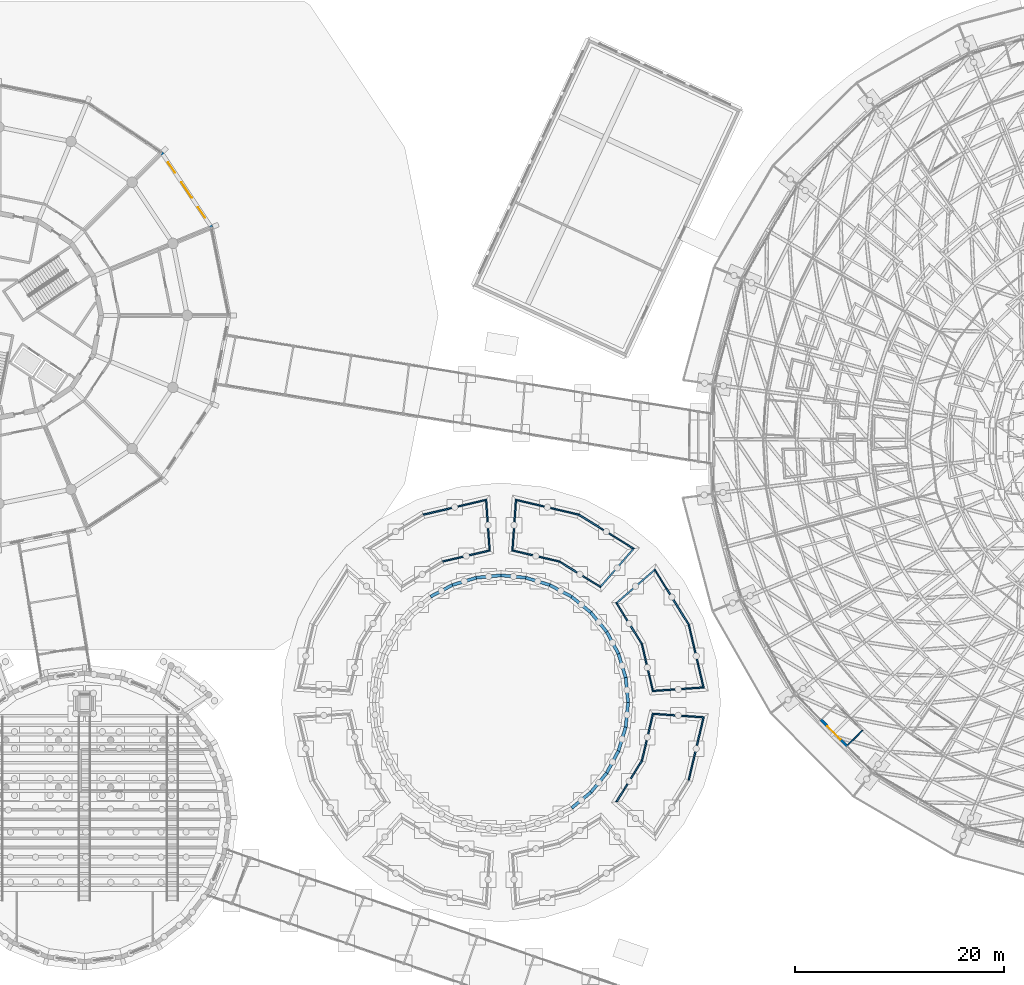
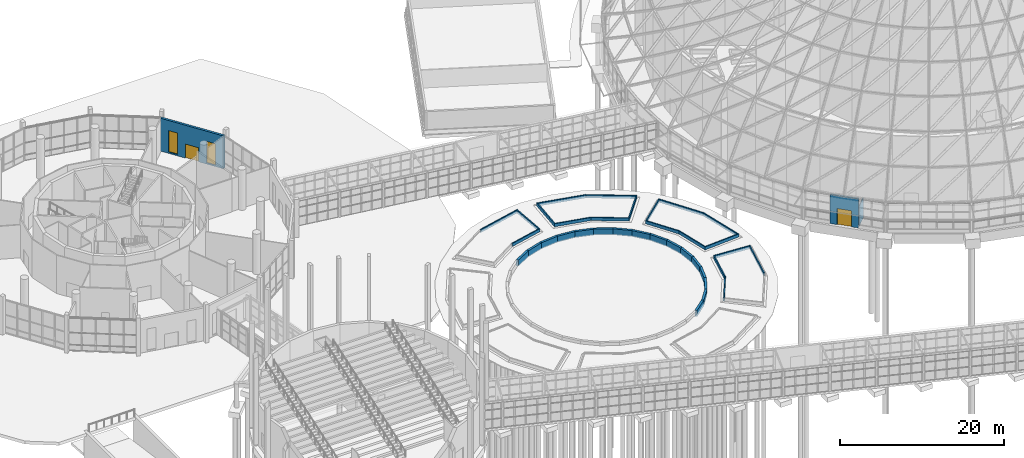
# One storey, part 166 of 226: 38 walls, 2 doors, 2 windows, 4 openings.
"""IFC4 building model written with IfcOpenShell, lengths in metres."""

from ifc_helpers import new_model, si_unit, direction, frame, frame_2d, origin, place, context, subcontext, project, spatial, polyline, rectangle, outline, extrude, material, layer, layer_set, type_object, element, fill, save


model = new_model("IFC4")

# Units and contexts
model_context = context("Model", 3, precision=1e-05, world=origin(), true_north=direction((0.0, 1.0)))
body_context = subcontext(model_context, "Body", "Model", "MODEL_VIEW")
ifc_project = project(units=[si_unit("LENGTHUNIT", "METRE"), si_unit("AREAUNIT", "SQUARE_METRE"), si_unit("VOLUMEUNIT", "CUBIC_METRE"), si_unit("PLANEANGLEUNIT", "RADIAN"), si_unit("MASSUNIT", "GRAM", prefix="KILO")], contexts=[model_context])

# Site, building, storey
site_placement = place(None, origin())
site = spatial("IfcSite", under=ifc_project, at=site_placement, CompositionType="ELEMENT")
building_placement = place(site_placement, origin())
building = spatial("IfcBuilding", under=site, at=building_placement, Name="Ceibo Conservatory and Research Tower", CompositionType="ELEMENT")
storey_placement = place(building_placement, origin())
storey = spatial("IfcBuildingStorey", under=building, at=storey_placement, Name="L00", CompositionType="ELEMENT", Elevation=0.0)

# Walls
ifc_material_1 = material(Name="Aluminium and glass", Category="aluminium")
ifc_layer_1 = layer(ifc_material_1, 0.10009765625)
ifc_layer_set_1 = layer_set([ifc_layer_1], Name="Aluminium and glass")
wall_type_1 = type_object("IfcWallType", Name="Airlock screen wall 100", PredefinedType="PARTITIONING", material=ifc_layer_set_1)
wall_1_placement = place(storey_placement, frame((130.576904296875, 80.33349609375, 0.0), z_axis=(0.0, 0.0, 1.0), x_axis=(-0.710212756129, -0.703987102887, 0.0)))
element("IfcWall", 1, at=wall_1_placement, inside=storey, type_object=wall_type_1, Name="Vestibule wall A-VW15", PredefinedType="PARTITIONING", context=body_context, shape_type="SweptSolid", body=[
    extrude(outline(polyline([(0.050048828125, -0.050048828125), (2.0, -0.050048828125), (2.0, 0.050048828125), (-0.050048828125, 0.050048828125), (0.050048828125, -0.050048828125)])), origin(), (0.0, 0.0, 1.0), 3.0),
])
ifc_material_2 = material(Name="Concrete C30/37", Category="concrete")
ifc_layer_2 = layer(ifc_material_2, 0.300048828125)
ifc_layer_set_2 = layer_set([ifc_layer_2], Name="Concrete C30/37")
wall_type_2 = type_object("IfcWallType", Name="Basin kerb wall 300", PredefinedType="PARAPET", material=ifc_layer_set_2)
wall_2_placement = place(storey_placement, frame((108.149169921875, 83.0, -0.449951171875), z_axis=(0.0, 0.0, 1.0), x_axis=(-0.098001449933, 0.995186271916, 0.0)))
element("IfcWall", 2, at=wall_2_placement, inside=storey, type_object=wall_type_2, Name="Basin kerb 01", PredefinedType="PARAPET", context=body_context, shape_type="SweptSolid", body=[
    extrude(outline(polyline([(-0.014892578125, -0.14990234375), (2.396484375, -0.14990234375), (2.36669921875, 0.14990234375), (0.014892578125, 0.14990234375), (-0.014892578125, -0.14990234375)])), origin(), (0.0, 0.0, 1.0), 0.89990234375),
])
wall_3_placement = place(storey_placement, frame((107.915771484375, 85.3701171875, -0.449951171875), z_axis=(0.0, 0.0, 1.0), x_axis=(-0.290280487381, 0.956941606706, 0.0)))
element("IfcWall", 3, at=wall_3_placement, inside=storey, type_object=wall_type_2, Name="Basin kerb 02", PredefinedType="PARAPET", context=body_context, shape_type="SweptSolid", body=[
    extrude(outline(polyline([(-0.014892578125, -0.14990234375), (2.396728515625, -0.14990234375), (2.366943359375, 0.14990234375), (0.014892578125, 0.14990234375), (-0.014892578125, -0.14990234375)])), origin(), (0.0, 0.0, 1.0), 0.89990234375),
])
wall_4_placement = place(storey_placement, frame((107.224365234375, 87.6494140625, -0.449951171875), z_axis=(0.0, 0.0, 1.0), x_axis=(-0.471364898208, 0.881938281705, 0.0)))
element("IfcWall", 4, at=wall_4_placement, inside=storey, type_object=wall_type_2, Name="Basin kerb 03", PredefinedType="PARAPET", context=body_context, shape_type="SweptSolid", body=[
    extrude(outline(polyline([(-0.014892578125, -0.14990234375), (2.396484375, -0.14990234375), (2.36669921875, 0.14990234375), (0.014892578125, 0.14990234375), (-0.014892578125, -0.14990234375)])), origin(), (0.0, 0.0, 1.0), 0.89990234375),
])
for number, where, z_axis, x_axis, name in (
    (5, (106.101806640625, 89.749755859375, -0.449951171875), (0.0, 0.0, 1.0), (-0.634409285382, 0.772997321225, 0.0), "Basin kerb 04"),
    (6, (104.5908203125, 91.5908203125, -0.449951171875), (0.0, 0.0, 1.0), (-0.772997321225, 0.634409285382, 0.0), "Basin kerb 05"),
):
    element("IfcWall", number, at=place(storey_placement, frame(where, z_axis=z_axis, x_axis=x_axis)), inside=storey, type_object=wall_type_2, Name=name, PredefinedType="PARAPET", context=body_context, shape_type="SweptSolid", body=[
        extrude(outline(polyline([(-0.014892578125, -0.14990234375), (2.396728515625, -0.14990234375), (2.366943359375, 0.14990234375), (0.014892578125, 0.14990234375), (-0.014892578125, -0.14990234375)])), origin(), (0.0, 0.0, 1.0), 0.89990234375),
    ])
wall_5_placement = place(storey_placement, frame((102.749755859375, 93.101806640625, -0.449951171875), z_axis=(0.0, 0.0, 1.0), x_axis=(-0.881938281705, 0.471364898208, 0.0)))
element("IfcWall", 7, at=wall_5_placement, inside=storey, type_object=wall_type_2, Name="Basin kerb 06", PredefinedType="PARAPET", context=body_context, shape_type="SweptSolid", body=[
    extrude(outline(polyline([(-0.014892578125, -0.14990234375), (2.396484375, -0.14990234375), (2.36669921875, 0.14990234375), (0.014892578125, 0.14990234375), (-0.014892578125, -0.14990234375)])), origin(), (0.0, 0.0, 1.0), 0.89990234375),
])
wall_6_placement = place(storey_placement, frame((100.6494140625, 94.224365234375, -0.449951171875), z_axis=(0.0, 0.0, 1.0), x_axis=(-0.956941606706, 0.290280487381, 0.0)))
element("IfcWall", 8, at=wall_6_placement, inside=storey, type_object=wall_type_2, Name="Basin kerb 07", PredefinedType="PARAPET", context=body_context, shape_type="SweptSolid", body=[
    extrude(outline(polyline([(-0.014892578125, -0.14990234375), (2.396728515625, -0.14990234375), (2.366943359375, 0.14990234375), (0.014892578125, 0.14990234375), (-0.014892578125, -0.14990234375)])), origin(), (0.0, 0.0, 1.0), 0.89990234375),
])
for number, where, z_axis, x_axis, name in (
    (9, (98.3701171875, 94.915771484375, -0.449951171875), (0.0, 0.0, 1.0), (-0.995186271916, 0.098001449933, 0.0), "Basin kerb 08"),
    (10, (96.0, 95.149169921875, -0.449951171875), (0.0, 0.0, 1.0), (-0.995186271916, -0.098001449933, 0.0), "Basin kerb 09"),
):
    element("IfcWall", number, at=place(storey_placement, frame(where, z_axis=z_axis, x_axis=x_axis)), inside=storey, type_object=wall_type_2, Name=name, PredefinedType="PARAPET", context=body_context, shape_type="SweptSolid", body=[
        extrude(outline(polyline([(-0.014892578125, -0.14990234375), (2.396484375, -0.14990234375), (2.36669921875, 0.14990234375), (0.014892578125, 0.14990234375), (-0.014892578125, -0.14990234375)])), origin(), (0.0, 0.0, 1.0), 0.89990234375),
    ])
wall_7_placement = place(storey_placement, frame((93.6298828125, 94.915771484375, -0.449951171875), z_axis=(0.0, 0.0, 1.0), x_axis=(-0.956941606706, -0.290280487381, 0.0)))
element("IfcWall", 11, at=wall_7_placement, inside=storey, type_object=wall_type_2, Name="Basin kerb 10", PredefinedType="PARAPET", context=body_context, shape_type="SweptSolid", body=[
    extrude(outline(polyline([(-0.014892578125, -0.14990234375), (2.396728515625, -0.14990234375), (2.366943359375, 0.14990234375), (0.014892578125, 0.14990234375), (-0.014892578125, -0.14990234375)])), origin(), (0.0, 0.0, 1.0), 0.89990234375),
])
wall_8_placement = place(storey_placement, frame((91.3505859375, 94.224365234375, -0.449951171875), z_axis=(0.0, 0.0, 1.0), x_axis=(-0.881938281705, -0.471364898208, 0.0)))
element("IfcWall", 12, at=wall_8_placement, inside=storey, type_object=wall_type_2, Name="Basin kerb 11", PredefinedType="PARAPET", context=body_context, shape_type="SweptSolid", body=[
    extrude(outline(polyline([(-0.014892578125, -0.14990234375), (2.396484375, -0.14990234375), (2.36669921875, 0.14990234375), (0.014892578125, 0.14990234375), (-0.014892578125, -0.14990234375)])), origin(), (0.0, 0.0, 1.0), 0.89990234375),
])
for number, where, z_axis, x_axis, name in (
    (13, (102.749755859375, 72.898193359375, -0.449951171875), (0.0, 0.0, 1.0), (0.772997321225, 0.634409285382, 0.0), "Basin kerb 28"),
    (14, (104.5908203125, 74.4091796875, -0.449951171875), (0.0, 0.0, 1.0), (0.634409285382, 0.772997321225, 0.0), "Basin kerb 29"),
):
    element("IfcWall", number, at=place(storey_placement, frame(where, z_axis=z_axis, x_axis=x_axis)), inside=storey, type_object=wall_type_2, Name=name, PredefinedType="PARAPET", context=body_context, shape_type="SweptSolid", body=[
        extrude(outline(polyline([(-0.014892578125, -0.14990234375), (2.396728515625, -0.14990234375), (2.366943359375, 0.14990234375), (0.014892578125, 0.14990234375), (-0.014892578125, -0.14990234375)])), origin(), (0.0, 0.0, 1.0), 0.89990234375),
    ])
wall_9_placement = place(storey_placement, frame((106.101806640625, 76.250244140625, -0.449951171875), z_axis=(0.0, 0.0, 1.0), x_axis=(0.471364898208, 0.881938281705, 0.0)))
element("IfcWall", 15, at=wall_9_placement, inside=storey, type_object=wall_type_2, Name="Basin kerb 30", PredefinedType="PARAPET", context=body_context, shape_type="SweptSolid", body=[
    extrude(outline(polyline([(-0.014892578125, -0.14990234375), (2.396484375, -0.14990234375), (2.36669921875, 0.14990234375), (0.014892578125, 0.14990234375), (-0.014892578125, -0.14990234375)])), origin(), (0.0, 0.0, 1.0), 0.89990234375),
])
wall_10_placement = place(storey_placement, frame((107.224365234375, 78.3505859375, -0.449951171875), z_axis=(0.0, 0.0, 1.0), x_axis=(0.290280487381, 0.956941606706, 0.0)))
element("IfcWall", 16, at=wall_10_placement, inside=storey, type_object=wall_type_2, Name="Basin kerb 31", PredefinedType="PARAPET", context=body_context, shape_type="SweptSolid", body=[
    extrude(outline(polyline([(-0.014892578125, -0.14990234375), (2.396728515625, -0.14990234375), (2.366943359375, 0.14990234375), (0.014892578125, 0.14990234375), (-0.014892578125, -0.14990234375)])), origin(), (0.0, 0.0, 1.0), 0.89990234375),
])
wall_11_placement = place(storey_placement, frame((107.915771484375, 80.6298828125, -0.449951171875), z_axis=(0.0, 0.0, 1.0), x_axis=(0.098001449933, 0.995186271916, 0.0)))
element("IfcWall", 17, at=wall_11_placement, inside=storey, type_object=wall_type_2, Name="Basin kerb 32", PredefinedType="PARAPET", context=body_context, shape_type="SweptSolid", body=[
    extrude(outline(polyline([(-0.014892578125, -0.14990234375), (2.396484375, -0.14990234375), (2.36669921875, 0.14990234375), (0.014892578125, 0.14990234375), (-0.014892578125, -0.14990234375)])), origin(), (0.0, 0.0, 1.0), 0.89990234375),
])
ifc_layer_3 = layer(ifc_material_2, 0.14990234375)
ifc_layer_set_3 = layer_set([ifc_layer_3], Name="Concrete C30/37")
wall_type_3 = type_object("IfcWallType", Name="Bed kerb wall 150", PredefinedType="PARAPET", material=ifc_layer_set_3)
wall_12_placement = place(storey_placement, frame((110.52294921875, 84.0908203125, 0.0), z_axis=(0.0, 0.0, 1.0), x_axis=(0.997564926724, 0.069743938592, 0.0)))
element("IfcWall", 18, at=wall_12_placement, inside=storey, type_object=wall_type_3, Name="Bed PB1 kerb 01", PredefinedType="PARAPET", context=body_context, shape_type="SweptSolid", body=[
    extrude(outline(polyline([(-0.063720703125, -0.074951171875), (4.936279296875, -0.074951171875), (4.760009765625, 0.074951171875), (0.063720703125, 0.074951171875), (-0.063720703125, -0.074951171875)])), origin(), (0.0, 0.0, 1.0), 0.449951171875),
])
wall_13_placement = place(storey_placement, frame((115.359375, 84.428955078125, 0.0), z_axis=(0.0, 0.0, 1.0), x_axis=(-0.229195955664, 0.973380302815, 0.0)))
element("IfcWall", 19, at=wall_13_placement, inside=storey, type_object=wall_type_3, Name="Bed PB1 kerb 02", PredefinedType="PARAPET", context=body_context, shape_type="SweptSolid", body=[
    extrude(outline(polyline([(-0.088134765625, -0.074951171875), (6.180908203125, -0.074951171875), (6.156494140625, 0.074951171875), (0.088134765625, 0.074951171875), (-0.088134765625, -0.074951171875)])), origin(), (0.0, 0.0, 1.0), 0.449951171875),
])
wall_14_placement = place(storey_placement, frame((113.945556640625, 90.433349609375, 0.0), z_axis=(0.0, 0.0, 1.0), x_axis=(-0.526233343886, 0.850340207084, 0.0)))
element("IfcWall", 20, at=wall_14_placement, inside=storey, type_object=wall_type_3, Name="Bed PB1 kerb 03", PredefinedType="PARAPET", context=body_context, shape_type="SweptSolid", body=[
    extrude(outline(polyline([(-0.01220703125, -0.074951171875), (6.256591796875, -0.074951171875), (6.080322265625, 0.074951171875), (0.01220703125, 0.074951171875), (-0.01220703125, -0.074951171875)])), origin(), (0.0, 0.0, 1.0), 0.449951171875),
])
wall_15_placement = place(storey_placement, frame((110.699462890625, 95.6787109375, 0.0), z_axis=(0.0, 0.0, 1.0), x_axis=(-0.754709588692, -0.656059019248, 0.0)))
element("IfcWall", 21, at=wall_15_placement, inside=storey, type_object=wall_type_3, Name="Bed PB1 kerb 04", PredefinedType="PARAPET", context=body_context, shape_type="SweptSolid", body=[
    extrude(outline(polyline([(-0.088134765625, -0.074951171875), (4.911865234375, -0.074951171875), (4.784423828125, 0.074951171875), (0.088134765625, 0.074951171875), (-0.088134765625, -0.074951171875)])), origin(), (0.0, 0.0, 1.0), 0.449951171875),
])
wall_16_placement = place(storey_placement, frame((107.04052734375, 92.498046875, 0.0), z_axis=(0.0, 0.0, 1.0), x_axis=(0.526237929695, -0.850337369137, 0.0)))
element("IfcWall", 22, at=wall_16_placement, inside=storey, type_object=wall_type_3, Name="Bed PB1 kerb 05", PredefinedType="PARAPET", context=body_context, shape_type="SweptSolid", body=[
    extrude(outline(polyline([(-0.063720703125, -0.074951171875), (4.597900390625, -0.074951171875), (4.622314453125, 0.074951171875), (0.063720703125, 0.074951171875), (-0.063720703125, -0.074951171875)])), origin(), (0.0, 0.0, 1.0), 0.449951171875),
])
wall_17_placement = place(storey_placement, frame((109.466552734375, 88.577880859375, 0.0), z_axis=(0.0, 0.0, 1.0), x_axis=(0.229166266762, -0.973387293002, 0.0)))
element("IfcWall", 23, at=wall_17_placement, inside=storey, type_object=wall_type_3, Name="Bed PB1 kerb 06", PredefinedType="PARAPET", context=body_context, shape_type="SweptSolid", body=[
    extrude(outline(polyline([(0.01220703125, -0.074951171875), (4.67333984375, -0.074951171875), (4.5458984375, 0.074951171875), (-0.01220703125, 0.074951171875), (0.01220703125, -0.074951171875)])), origin(), (0.0, 0.0, 1.0), 0.449951171875),
])
wall_18_placement = place(storey_placement, frame((105.498046875, 94.04052734375, 0.0), z_axis=(0.0, 0.0, 1.0), x_axis=(0.656059019248, 0.754709588692, 0.0)))
element("IfcWall", 24, at=wall_18_placement, inside=storey, type_object=wall_type_3, Name="Bed PB2 kerb 01", PredefinedType="PARAPET", context=body_context, shape_type="SweptSolid", body=[
    extrude(outline(polyline([(-0.063720703125, -0.074951171875), (4.936279296875, -0.074951171875), (4.760009765625, 0.074951171875), (0.063720703125, 0.074951171875), (-0.063720703125, -0.074951171875)])), origin(), (0.0, 0.0, 1.0), 0.449951171875),
])
wall_19_placement = place(storey_placement, frame((108.6787109375, 97.699462890625, 0.0), z_axis=(0.0, 0.0, 1.0), x_axis=(-0.850340207084, 0.526233343886, 0.0)))
element("IfcWall", 25, at=wall_19_placement, inside=storey, type_object=wall_type_3, Name="Bed PB2 kerb 02", PredefinedType="PARAPET", context=body_context, shape_type="SweptSolid", body=[
    extrude(outline(polyline([(-0.088134765625, -0.074951171875), (6.1806640625, -0.074951171875), (6.15625, 0.074951171875), (0.088134765625, 0.074951171875), (-0.088134765625, -0.074951171875)])), origin(), (0.0, 0.0, 1.0), 0.449951171875),
])
wall_20_placement = place(storey_placement, frame((103.433349609375, 100.945556640625, 0.0), z_axis=(0.0, 0.0, 1.0), x_axis=(-0.973380302815, 0.229195955664, 0.0)))
element("IfcWall", 26, at=wall_20_placement, inside=storey, type_object=wall_type_3, Name="Bed PB2 kerb 03", PredefinedType="PARAPET", context=body_context, shape_type="SweptSolid", body=[
    extrude(outline(polyline([(-0.01220703125, -0.074951171875), (6.2568359375, -0.074951171875), (6.08056640625, 0.074951171875), (0.01220703125, 0.074951171875), (-0.01220703125, -0.074951171875)])), origin(), (0.0, 0.0, 1.0), 0.449951171875),
])
wall_21_placement = place(storey_placement, frame((97.428955078125, 102.359375, 0.0), z_axis=(0.0, 0.0, 1.0), x_axis=(-0.069743938592, -0.997564926724, 0.0)))
element("IfcWall", 27, at=wall_21_placement, inside=storey, type_object=wall_type_3, Name="Bed PB2 kerb 04", PredefinedType="PARAPET", context=body_context, shape_type="SweptSolid", body=[
    extrude(outline(polyline([(-0.088134765625, -0.074951171875), (4.911865234375, -0.074951171875), (4.784423828125, 0.074951171875), (0.088134765625, 0.074951171875), (-0.088134765625, -0.074951171875)])), origin(), (0.0, 0.0, 1.0), 0.449951171875),
])
wall_22_placement = place(storey_placement, frame((97.0908203125, 97.52294921875, 0.0), z_axis=(0.0, 0.0, 1.0), x_axis=(0.973387293002, -0.229166266762, 0.0)))
element("IfcWall", 28, at=wall_22_placement, inside=storey, type_object=wall_type_3, Name="Bed PB2 kerb 05", PredefinedType="PARAPET", context=body_context, shape_type="SweptSolid", body=[
    extrude(outline(polyline([(-0.063720703125, -0.074951171875), (4.597412109375, -0.074951171875), (4.621826171875, 0.074951171875), (0.063720703125, 0.074951171875), (-0.063720703125, -0.074951171875)])), origin(), (0.0, 0.0, 1.0), 0.449951171875),
])
wall_23_placement = place(storey_placement, frame((101.577880859375, 96.466552734375, 0.0), z_axis=(0.0, 0.0, 1.0), x_axis=(0.850337369137, -0.526237929695, 0.0)))
element("IfcWall", 29, at=wall_23_placement, inside=storey, type_object=wall_type_3, Name="Bed PB2 kerb 06", PredefinedType="PARAPET", context=body_context, shape_type="SweptSolid", body=[
    extrude(outline(polyline([(0.01220703125, -0.074951171875), (4.673828125, -0.074951171875), (4.54638671875, 0.074951171875), (-0.01220703125, 0.074951171875), (0.01220703125, -0.074951171875)])), origin(), (0.0, 0.0, 1.0), 0.449951171875),
])
wall_24_placement = place(storey_placement, frame((94.9091796875, 97.52294921875, 0.0), z_axis=(0.0, 0.0, 1.0), x_axis=(-0.069743938592, 0.997564926724, 0.0)))
element("IfcWall", 30, at=wall_24_placement, inside=storey, type_object=wall_type_3, Name="Bed PB3 kerb 01", PredefinedType="PARAPET", context=body_context, shape_type="SweptSolid", body=[
    extrude(outline(polyline([(-0.063720703125, -0.074951171875), (4.936279296875, -0.074951171875), (4.760009765625, 0.074951171875), (0.063720703125, 0.074951171875), (-0.063720703125, -0.074951171875)])), origin(), (0.0, 0.0, 1.0), 0.449951171875),
])
wall_25_placement = place(storey_placement, frame((94.571044921875, 102.359375, 0.0), z_axis=(0.0, 0.0, 1.0), x_axis=(-0.973380302815, -0.229195955664, 0.0)))
element("IfcWall", 31, at=wall_25_placement, inside=storey, type_object=wall_type_3, Name="Bed PB3 kerb 02", PredefinedType="PARAPET", context=body_context, shape_type="SweptSolid", body=[
    extrude(outline(polyline([(-0.088134765625, -0.074951171875), (6.180908203125, -0.074951171875), (6.156494140625, 0.074951171875), (0.088134765625, 0.074951171875), (-0.088134765625, -0.074951171875)])), origin(), (0.0, 0.0, 1.0), 0.449951171875),
])
wall_26_placement = place(storey_placement, frame((90.422119140625, 96.466552734375, 0.0), z_axis=(0.0, 0.0, 1.0), x_axis=(0.973387293002, 0.229166266762, 0.0)))
element("IfcWall", 32, at=wall_26_placement, inside=storey, type_object=wall_type_3, Name="Bed PB3 kerb 06", PredefinedType="PARAPET", context=body_context, shape_type="SweptSolid", body=[
    extrude(outline(polyline([(0.01220703125, -0.074951171875), (4.67333984375, -0.074951171875), (4.5458984375, 0.074951171875), (-0.01220703125, 0.074951171875), (0.01220703125, -0.074951171875)])), origin(), (0.0, 0.0, 1.0), 0.449951171875),
])
wall_27_placement = place(storey_placement, frame((113.945556640625, 75.566650390625, 0.0), z_axis=(0.0, 0.0, 1.0), x_axis=(0.229195955664, 0.973380302815, 0.0)))
element("IfcWall", 33, at=wall_27_placement, inside=storey, type_object=wall_type_3, Name="Bed PB8 kerb 03", PredefinedType="PARAPET", context=body_context, shape_type="SweptSolid", body=[
    extrude(outline(polyline([(-0.01220703125, -0.074951171875), (6.2568359375, -0.074951171875), (6.08056640625, 0.074951171875), (0.01220703125, 0.074951171875), (-0.01220703125, -0.074951171875)])), origin(), (0.0, 0.0, 1.0), 0.449951171875),
])
wall_28_placement = place(storey_placement, frame((115.359375, 81.571044921875, 0.0), z_axis=(0.0, 0.0, 1.0), x_axis=(-0.997564926724, 0.069743938592, 0.0)))
element("IfcWall", 34, at=wall_28_placement, inside=storey, type_object=wall_type_3, Name="Bed PB8 kerb 04", PredefinedType="PARAPET", context=body_context, shape_type="SweptSolid", body=[
    extrude(outline(polyline([(-0.088134765625, -0.074951171875), (4.911865234375, -0.074951171875), (4.784423828125, 0.074951171875), (0.088134765625, 0.074951171875), (-0.088134765625, -0.074951171875)])), origin(), (0.0, 0.0, 1.0), 0.449951171875),
])
wall_29_placement = place(storey_placement, frame((110.52294921875, 81.9091796875, 0.0), z_axis=(0.0, 0.0, 1.0), x_axis=(-0.229166266762, -0.973387293002, 0.0)))
element("IfcWall", 35, at=wall_29_placement, inside=storey, type_object=wall_type_3, Name="Bed PB8 kerb 05", PredefinedType="PARAPET", context=body_context, shape_type="SweptSolid", body=[
    extrude(outline(polyline([(-0.063720703125, -0.074951171875), (4.597412109375, -0.074951171875), (4.621826171875, 0.074951171875), (0.063720703125, 0.074951171875), (-0.063720703125, -0.074951171875)])), origin(), (0.0, 0.0, 1.0), 0.449951171875),
])
wall_30_placement = place(storey_placement, frame((109.466552734375, 77.422119140625, 0.0), z_axis=(0.0, 0.0, 1.0), x_axis=(-0.526237929695, -0.850337369137, 0.0)))
element("IfcWall", 36, at=wall_30_placement, inside=storey, type_object=wall_type_3, Name="Bed PB8 kerb 06", PredefinedType="PARAPET", context=body_context, shape_type="SweptSolid", body=[
    extrude(outline(polyline([(0.01220703125, -0.074951171875), (4.673828125, -0.074951171875), (4.54638671875, 0.074951171875), (-0.01220703125, 0.074951171875), (0.01220703125, -0.074951171875)])), origin(), (0.0, 0.0, 1.0), 0.449951171875),
])

# Wall, opening, door
ifc_material_3 = material(Name="Concrete C35/45", Category="concrete")
ifc_layer_4 = layer(ifc_material_3, 0.25)
ifc_layer_set_4 = layer_set([ifc_layer_4], Name="Concrete C35/45")
wall_type_4 = type_object("IfcWallType", Name="Drum door stub wall 250", PredefinedType="SOLIDWALL", material=ifc_layer_set_4)
wall_31_placement = place(storey_placement, frame((126.568359375, 81.358642578125, 0.0), z_axis=(0.0, 0.0, 1.0), x_axis=(0.704014348295, -0.710185748516, 0.0)))
wall_31 = element("IfcWall", 37, at=wall_31_placement, inside=storey, type_object=wall_type_4, Name="Drum door stub wall A-W15", PredefinedType="SOLIDWALL", context=body_context, shape_type="SweptSolid", body=[
    extrude(rectangle(XDim=3.599853515625, YDim=0.25, at=frame_2d((1.7998046875, 0.0))), origin(), (0.0, 0.0, 1.0), 4.338134765625),
])
opening_1_placement = place(wall_31_placement, frame((0.89990234375, 0.0, 0.0)))
opening_1 = element("IfcOpeningElement", 38, at=opening_1_placement, cuts=wall_31, Name="Opening A-D04", PredefinedType="OPENING", context=body_context, shape_type="SweptSolid", body=[
    extrude(rectangle(XDim=1.800048828125, YDim=2.39990234375, at=frame_2d((0.89990234375, 1.199951171875))), frame((0.0, 0.135009765625, 0.0), z_axis=(0.0, -1.0, 0.0), x_axis=(1.0, 0.0, 0.0)), (0.0, 0.0, 1.0), 0.27001953125),
])
door_type_1 = type_object("IfcDoorType", Name="Drum double door 1800x2400", OperationType="DOUBLE_DOOR_SINGLE_SWING", PredefinedType="DOOR", material=ifc_material_1)
door_1_placement = place(opening_1_placement, frame((1.800048828125, 0.0, 0.0), z_axis=(0.0, 0.0, 1.0), x_axis=(-1.0, 0.0, 0.0)))
door_1 = element("IfcDoor", 39, at=door_1_placement, inside=storey, type_object=door_type_1, Name="Drum door A-D04", OperationType="DOUBLE_DOOR_SINGLE_SWING", OverallHeight=2.39990234375, OverallWidth=1.800048828125, PredefinedType="DOOR", context=body_context, shape_type="SweptSolid", body=[
    extrude(rectangle(XDim=1.800048828125, YDim=2.39990234375, at=frame_2d((0.89990234375, 1.199951171875))), frame((0.0, 0.02490234375, 0.0), z_axis=(0.0, -1.0, 0.0), x_axis=(1.0, 0.0, 0.0)), (0.0, 0.0, 1.0), 0.050048828125),
])
fill(opening_1, door_1)

# Wall, openings, door, windows
ifc_material_4 = material(Name="Ceramic mosaic tessera")
ifc_layer_5 = layer(ifc_material_4, 0.010009765625, Name="Ceramic mosaic")
ifc_material_5 = material(Name="Polymer-modified bedding mortar")
ifc_layer_6 = layer(ifc_material_5, 0.014892578125, Name="Bedding mortar")
ifc_material_6 = material(Name="Mineral wool insulation")
ifc_layer_7 = layer(ifc_material_6, 0.050048828125, Name="Insulation")
ifc_layer_8 = layer(ifc_material_2, 0.215087890625, Name="Reinforced concrete leaf")
ifc_material_7 = material(Name="Gypsum plaster")
ifc_layer_9 = layer(ifc_material_7, 0.010009765625, Name="Internal plaster")
ifc_layer_set_5 = layer_set([ifc_layer_5, ifc_layer_6, ifc_layer_7, ifc_layer_8, ifc_layer_9], Name="Concrete C30/37")
wall_type_5 = type_object("IfcWallType", Name="Stair discharge wall 300", PredefinedType="SOLIDWALL", material=ifc_layer_set_5)
wall_32_placement = place(storey_placement, frame((68.325439453125, 128.4189453125, 0.0), z_axis=(0.0, 0.0, 1.0), x_axis=(-0.555566251771, 0.831472272474, 0.0)))
wall_32 = element("IfcWall", 40, at=wall_32_placement, inside=storey, type_object=wall_type_5, Name="Facade wall L00 facet 2", PredefinedType="SOLIDWALL", context=body_context, shape_type="SweptSolid", body=[
    extrude(outline(polyline([(-0.02978515625, -0.14990234375), (8.614013671875, -0.14990234375), (8.554443359375, 0.14990234375), (0.02978515625, 0.14990234375), (-0.02978515625, -0.14990234375)])), origin(), (0.0, 0.0, 1.0), 4.89990234375),
])
opening_2_placement = place(wall_32_placement, frame((3.39208984375, 0.0, 0.0)))
opening_2 = element("IfcOpeningElement", 41, at=opening_2_placement, cuts=wall_32, Name="Opening E00.01", PredefinedType="OPENING", context=body_context, shape_type="SweptSolid", body=[
    extrude(rectangle(XDim=1.800048828125, YDim=2.10009765625, at=frame_2d((0.89990234375, 1.050048828125))), frame((0.0, 0.159912109375, 0.0), z_axis=(0.0, -1.0, 0.0), x_axis=(1.0, 0.0, 0.0)), (0.0, 0.0, 1.0), 0.320068359375),
])
opening_3_placement = place(wall_32_placement, frame((1.11083984375, 0.0, 0.199951171875)))
opening_3 = element("IfcOpeningElement", 42, at=opening_3_placement, cuts=wall_32, Name="Opening SW4", PredefinedType="OPENING", context=body_context, shape_type="SweptSolid", body=[
    extrude(rectangle(XDim=1.199951171875, YDim=3.199951171875, at=frame_2d((0.60009765625, 1.60009765625))), frame((0.0, 0.159912109375, 0.0), z_axis=(0.0, -1.0, 0.0), x_axis=(1.0, 0.0, 0.0)), (0.0, 0.0, 1.0), 0.320068359375),
])
opening_4_placement = place(wall_32_placement, frame((6.273193359375, 0.0, 0.199951171875)))
opening_4 = element("IfcOpeningElement", 43, at=opening_4_placement, cuts=wall_32, Name="Opening SW4", PredefinedType="OPENING", context=body_context, shape_type="SweptSolid", body=[
    extrude(rectangle(XDim=1.199951171875, YDim=3.199951171875, at=frame_2d((0.60009765625, 1.60009765625))), frame((0.0, 0.159912109375, 0.0), z_axis=(0.0, -1.0, 0.0), x_axis=(1.0, 0.0, 0.0)), (0.0, 0.0, 1.0), 0.320068359375),
])
ifc_material_8 = material(Name="Galvanised sheet steel DX51D", Category="steel")
door_type_2 = type_object("IfcDoorType", Name="Exterior stair exit double door 1800 x 2100", OperationType="DOUBLE_DOOR_SINGLE_SWING", PredefinedType="DOOR", material=ifc_material_8)
door_2_placement = place(opening_2_placement, frame((1.800048828125, 0.0, 0.0), z_axis=(0.0, 0.0, 1.0), x_axis=(-1.0, 0.0, 0.0)))
door_2 = element("IfcDoor", 44, at=door_2_placement, inside=storey, type_object=door_type_2, Name="Stair Exit", OperationType="DOUBLE_DOOR_SINGLE_SWING", OverallHeight=2.10009765625, OverallWidth=1.800048828125, PredefinedType="DOOR", context=body_context, shape_type="SweptSolid", body=[
    extrude(rectangle(XDim=1.800048828125, YDim=2.10009765625, at=frame_2d((0.89990234375, 1.050048828125))), frame((0.0, 0.02490234375, 0.0), z_axis=(0.0, -1.0, 0.0), x_axis=(1.0, 0.0, 0.0)), (0.0, 0.0, 1.0), 0.050048828125),
])
fill(opening_2, door_2)
ifc_material_9 = material(Name="Aluminium frame with double glazing", Category="aluminium")
window_type = type_object("IfcWindowType", Name="Shopfront window SW2 1200 x 3200", PartitioningType="SINGLE_PANEL", PredefinedType="WINDOW", material=ifc_material_9)
window_1_placement = place(opening_3_placement, origin())
window_1 = element("IfcWindow", 45, at=window_1_placement, inside=storey, type_object=window_type, Name="T.L00.F01.WIN.1", OverallHeight=3.199951171875, OverallWidth=1.199951171875, PartitioningType="SINGLE_PANEL", PredefinedType="WINDOW", context=body_context, shape_type="SweptSolid", body=[
    extrude(rectangle(XDim=1.199951171875, YDim=3.199951171875, at=frame_2d((0.60009765625, 1.60009765625))), frame((0.0, 0.030029296875, 0.0), z_axis=(0.0, -1.0, 0.0), x_axis=(1.0, 0.0, 0.0)), (0.0, 0.0, 1.0), 0.06005859375),
])
fill(opening_3, window_1)
window_2_placement = place(opening_4_placement, origin())
window_2 = element("IfcWindow", 46, at=window_2_placement, inside=storey, type_object=window_type, Name="T.L00.F01.WIN.2", OverallHeight=3.199951171875, OverallWidth=1.199951171875, PartitioningType="SINGLE_PANEL", PredefinedType="WINDOW", context=body_context, shape_type="SweptSolid", body=[
    extrude(rectangle(XDim=1.199951171875, YDim=3.199951171875, at=frame_2d((0.60009765625, 1.60009765625))), frame((0.0, 0.030029296875, 0.0), z_axis=(0.0, -1.0, 0.0), x_axis=(1.0, 0.0, 0.0)), (0.0, 0.0, 1.0), 0.06005859375),
])
fill(opening_4, window_2)

save(model, "model.ifc")
